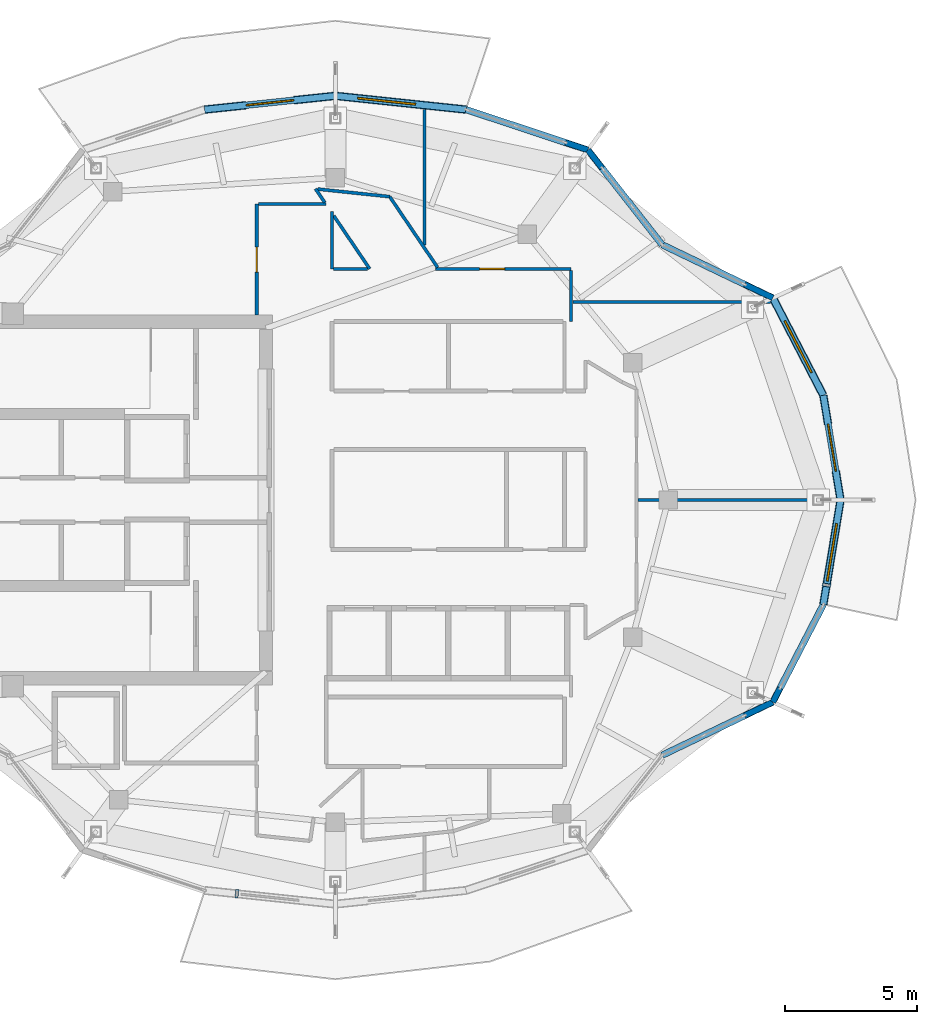
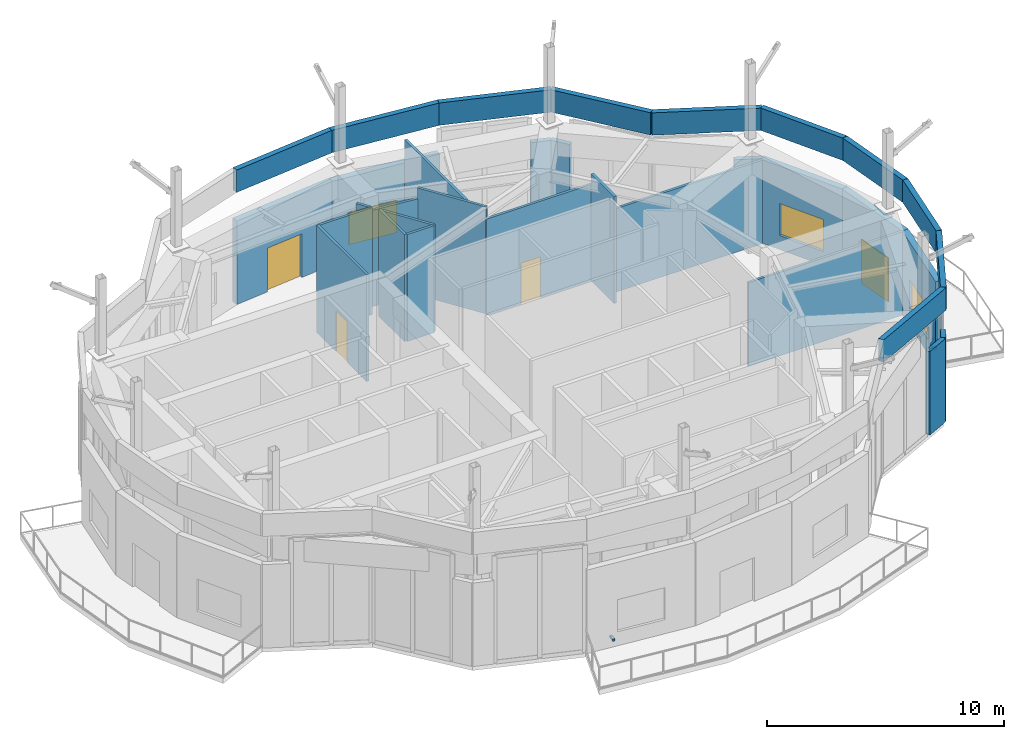
# One storey, part 11 of 13: 33 walls, 4 doors, 3 windows, 2 discrete accessories, 7 openings.
"""IFC4 building model written with IfcOpenShell, lengths in metres."""

from ifc_helpers import new_model, si_unit, direction, frame, frame_2d, origin, origin_2d, place, context, subcontext, project, spatial, rectangle, extrude, material, layer, layer_set, type_object, element, fill, save


model = new_model("IFC4")

# Units and contexts
model_context = context("Model", 3, precision=1e-05, world=origin(), true_north=direction((0.0, 1.0)))
body_context = subcontext(model_context, "Body", "Model", "MODEL_VIEW")
ifc_project = project(units=[si_unit("LENGTHUNIT", "METRE"), si_unit("AREAUNIT", "SQUARE_METRE"), si_unit("VOLUMEUNIT", "CUBIC_METRE"), si_unit("PLANEANGLEUNIT", "RADIAN"), si_unit("MASSUNIT", "GRAM", prefix="KILO")], contexts=[model_context])

# Site, building, storey
site_placement = place(None, origin())
site = spatial("IfcSite", under=ifc_project, at=site_placement, CompositionType="ELEMENT")
building_placement = place(site_placement, origin())
building = spatial("IfcBuilding", under=site, at=building_placement, Name="Kolvaren Gate Tower and Convention Centre", CompositionType="ELEMENT")
storey_placement = place(building_placement, frame((0.0, 0.0, 281.60009765625)))
storey = spatial("IfcBuildingStorey", under=building, at=storey_placement, Name="L76", CompositionType="ELEMENT", Elevation=281.60009765625)

# Walls
ifc_material_1 = material(Name="Piedmont Cream Honed Limestone Cladding", Category="masonry")
ifc_layer_1 = layer(ifc_material_1, 0.25)
ifc_layer_set_1 = layer_set([ifc_layer_1], Name="Piedmont Cream Honed Limestone Cladding")
wall_type_1 = type_object("IfcWallType", Name="ARCH-WL-PARAPET-250", PredefinedType="PARAPET", material=ifc_layer_set_1)
wall_1_placement = place(storey_placement, frame((48.598388671875, 30.9599609375, 5.75), z_axis=(0.0, 0.0, 1.0), x_axis=(0.162366447696, -0.9867305289, 0.0)))
element("IfcWall", 1, at=wall_1_placement, inside=storey, type_object=wall_type_1, Name="Observation Roof Core-Cap Stone Parapet CPW-01", PredefinedType="PARAPET", context=body_context, shape_type="SweptSolid", body=[
    extrude(rectangle(XDim=4.01318359375, YDim=0.25, at=frame_2d((2.006591796875, 0.0))), origin(), (0.0, 0.0, 1.0), 1.14990234375),
])
wall_2_placement = place(storey_placement, frame((46.687744140625, 34.64990234375, 5.75), z_axis=(0.0, 0.0, 1.0), x_axis=(0.459812881143, -0.888015830002, 0.0)))
element("IfcWall", 2, at=wall_2_placement, inside=storey, type_object=wall_type_1, Name="Observation Roof Core-Cap Stone Parapet CPW-02", PredefinedType="PARAPET", context=body_context, shape_type="SweptSolid", body=[
    extrude(rectangle(XDim=4.1552734375, YDim=0.25, at=frame_2d((2.07763671875, 0.0))), origin(), (0.0, 0.0, 1.0), 1.14990234375),
])
wall_3_placement = place(storey_placement, frame((42.494384765625, 36.664794921875, 5.75), z_axis=(0.0, 0.0, 1.0), x_axis=(0.901348560632, -0.433094414933, 0.0)))
element("IfcWall", 3, at=wall_3_placement, inside=storey, type_object=wall_type_1, Name="Observation Roof Core-Cap Stone Parapet CPW-03", PredefinedType="PARAPET", context=body_context, shape_type="SweptSolid", body=[
    extrude(rectangle(XDim=4.65234375, YDim=0.25, at=frame_2d((2.326171875, 0.0))), origin(), (0.0, 0.0, 1.0), 1.14990234375),
])
wall_4_placement = place(storey_placement, frame((39.6875, 40.250244140625, 5.75), z_axis=(0.0, 0.0, 1.0), x_axis=(0.616428247224, -0.78741108452, 0.0)))
element("IfcWall", 4, at=wall_4_placement, inside=storey, type_object=wall_type_1, Name="Observation Roof Core-Cap Stone Parapet CPW-04", PredefinedType="PARAPET", context=body_context, shape_type="SweptSolid", body=[
    extrude(rectangle(XDim=4.553466796875, YDim=0.25, at=frame_2d((2.27685546875, 0.0))), origin(), (0.0, 0.0, 1.0), 1.14990234375),
])
wall_5_placement = place(storey_placement, frame((35.074951171875, 41.77880859375, 5.75), z_axis=(0.0, 0.0, 1.0), x_axis=(0.949234518432, -0.314569275388, 0.0)))
element("IfcWall", 5, at=wall_5_placement, inside=storey, type_object=wall_type_1, Name="Observation Roof Core-Cap Stone Parapet CPW-05", PredefinedType="PARAPET", context=body_context, shape_type="SweptSolid", body=[
    extrude(rectangle(XDim=4.859130859375, YDim=0.25, at=frame_2d((2.4296875, 0.0))), origin(), (0.0, 0.0, 1.0), 1.14990234375),
])
for number, where, z_axis, x_axis, name in (
    (6, (30.125, 42.300048828125, 5.75), (0.0, 0.0, 1.0), (0.994501420626, -0.104723084243, 0.0), "Observation Roof Core-Cap Stone Parapet CPW-06"),
    (7, (25.175048828125, 41.77880859375, 5.75), (0.0, 0.0, 1.0), (0.994501420626, 0.104723084243, 0.0), "Observation Roof Core-Cap Stone Parapet CPW-07"),
):
    element("IfcWall", number, at=place(storey_placement, frame(where, z_axis=z_axis, x_axis=x_axis)), inside=storey, type_object=wall_type_1, Name=name, PredefinedType="PARAPET", context=body_context, shape_type="SweptSolid", body=[
        extrude(rectangle(XDim=4.977294921875, YDim=0.25, at=frame_2d((2.48876953125, 0.0))), origin(), (0.0, 0.0, 1.0), 1.14990234375),
    ])
wall_6_placement = place(storey_placement, frame((42.494384765625, 17.335205078125, 5.75), z_axis=(0.0, 0.0, 1.0), x_axis=(0.901348560632, 0.433094414933, 0.0)))
element("IfcWall", 8, at=wall_6_placement, inside=storey, type_object=wall_type_1, Name="Observation Roof Core-Cap Stone Parapet CPW-22", PredefinedType="PARAPET", context=body_context, shape_type="SweptSolid", body=[
    extrude(rectangle(XDim=4.65234375, YDim=0.25, at=frame_2d((2.326171875, 0.0))), origin(), (0.0, 0.0, 1.0), 1.14990234375),
])
wall_7_placement = place(storey_placement, frame((46.687744140625, 19.35009765625, 5.75), z_axis=(0.0, 0.0, 1.0), x_axis=(0.459812881143, 0.888015830002, 0.0)))
element("IfcWall", 9, at=wall_7_placement, inside=storey, type_object=wall_type_1, Name="Observation Roof Core-Cap Stone Parapet CPW-23", PredefinedType="PARAPET", context=body_context, shape_type="SweptSolid", body=[
    extrude(rectangle(XDim=4.1552734375, YDim=0.25, at=frame_2d((2.07763671875, 0.0))), origin(), (0.0, 0.0, 1.0), 1.14990234375),
])
wall_8_placement = place(storey_placement, frame((48.598388671875, 23.0400390625, 5.75), z_axis=(0.0, 0.0, 1.0), x_axis=(0.162366447696, 0.9867305289, 0.0)))
element("IfcWall", 10, at=wall_8_placement, inside=storey, type_object=wall_type_1, Name="Observation Roof Core-Cap Stone Parapet CPW-24", PredefinedType="PARAPET", context=body_context, shape_type="SweptSolid", body=[
    extrude(rectangle(XDim=4.01318359375, YDim=0.25, at=frame_2d((2.006591796875, 0.0))), origin(), (0.0, 0.0, 1.0), 1.14990234375),
])

# Wall, opening, door
ifc_material_2 = material(Name="Fire-Rated Acoustic Gypsum Stud Partition", Category="gypsum")
ifc_layer_2 = layer(ifc_material_2, 0.1201171875)
ifc_layer_set_2 = layer_set([ifc_layer_2], Name="Fire-Rated Acoustic Gypsum Stud Partition")
wall_type_2 = type_object("IfcWallType", Name="ARCH-WL-PART-120", PredefinedType="PARTITIONING", material=ifc_layer_set_2)
wall_9_placement = place(storey_placement, frame((27.14990234375, 34.001953125, 0.0), z_axis=(0.0, 0.0, 1.0), x_axis=(0.0, 1.0, 0.0)))
wall_9 = element("IfcWall", 11, at=wall_9_placement, inside=storey, type_object=wall_type_2, Name="Interior Partition WL-L76-INT-013", PredefinedType="PARTITIONING", context=body_context, shape_type="SweptSolid", body=[
    extrude(rectangle(XDim=4.197998046875, YDim=0.1201171875, at=frame_2d((2.09912109375, 0.0))), origin(), (0.0, 0.0, 1.0), 5.5),
])
opening_1_placement = place(wall_9_placement, frame((1.6240234375, 0.0, 0.0)))
opening_1 = element("IfcOpeningElement", 12, at=opening_1_placement, cuts=wall_9, Name="Opening DR-01", PredefinedType="OPENING", context=body_context, shape_type="SweptSolid", body=[
    extrude(rectangle(XDim=0.949951171875, YDim=2.10009765625, at=frame_2d((0.47509765625, 1.050048828125))), frame((0.0, 0.070068359375, 0.0), z_axis=(0.0, -1.0, 0.0), x_axis=(1.0, 0.0, 0.0)), (0.0, 0.0, 1.0), 0.14013671875),
])
ifc_material_3 = material(Name="Painted Architectural Steelwork ASTM A500 Grade C 345 MPa", Category="steel")
door_type_1 = type_object("IfcDoorType", Name="ARCH-DR-RISER-950", OperationType="SINGLE_SWING_RIGHT", PredefinedType="DOOR", material=ifc_material_3)
door_1_placement = place(opening_1_placement, origin())
door_1 = element("IfcDoor", 13, at=door_1_placement, inside=storey, type_object=door_type_1, Name="Magdalena Sunset Sky Cafe and Bistro Door", OperationType="SINGLE_SWING_RIGHT", OverallHeight=2.10009765625, OverallWidth=0.949951171875, PredefinedType="DOOR", context=body_context, shape_type="SweptSolid", body=[
    extrude(rectangle(XDim=0.949951171875, YDim=2.10009765625, at=frame_2d((0.47509765625, 1.050048828125))), frame((0.0, 0.02490234375, 0.0), z_axis=(0.0, -1.0, 0.0), x_axis=(1.0, 0.0, 0.0)), (0.0, 0.0, 1.0), 0.050048828125),
])
fill(opening_1, door_1)

# Walls
wall_10_placement = place(storey_placement, frame((30.0, 35.75, 0.0), z_axis=(0.0, 0.0, 1.0), x_axis=(0.0, 1.0, 0.0)))
element("IfcWall", 14, at=wall_10_placement, inside=storey, type_object=wall_type_2, Name="Interior Partition WL-L76-INT-017", PredefinedType="PARTITIONING", context=body_context, shape_type="SweptSolid", body=[
    extrude(rectangle(XDim=2.1640625, YDim=0.1201171875, at=frame_2d((1.08203125, 0.0))), origin(), (0.0, 0.0, 1.0), 5.5),
])
wall_11_placement = place(storey_placement, frame((27.2119140625, 38.199951171875, 0.0), z_axis=(0.0, 0.0, 1.0), x_axis=(1.0, 0.0, 0.0)))
element("IfcWall", 15, at=wall_11_placement, inside=storey, type_object=wall_type_2, Name="Interior Partition WL-L76-INT-029", PredefinedType="PARTITIONING", context=body_context, shape_type="SweptSolid", body=[
    extrude(rectangle(XDim=2.55517578125, YDim=0.1201171875, at=frame_2d((1.277587890625, 0.0))), origin(), (0.0, 0.0, 1.0), 5.5),
])
wall_12_placement = place(storey_placement, frame((29.375, 38.779052734375, 0.0), z_axis=(0.0, 0.0, 1.0), x_axis=(0.560640655146, -0.828059210321, 0.0)))
element("IfcWall", 16, at=wall_12_placement, inside=storey, type_object=wall_type_2, Name="Interior Partition WL-L76-INT-030", PredefinedType="PARTITIONING", context=body_context, shape_type="SweptSolid", body=[
    extrude(rectangle(XDim=0.62451171875, YDim=0.1201171875, at=frame_2d((0.312255859375, 0.0))), origin(), (0.0, 0.0, 1.0), 5.5),
])
wall_13_placement = place(storey_placement, frame((30.06201171875, 37.76416015625, 0.0), z_axis=(0.0, 0.0, 1.0), x_axis=(0.5606638637, -0.828043496406, 0.0)))
element("IfcWall", 17, at=wall_13_placement, inside=storey, type_object=wall_type_2, Name="Interior Partition WL-L76-INT-031", PredefinedType="PARTITIONING", context=body_context, shape_type="SweptSolid", body=[
    extrude(rectangle(XDim=2.431640625, YDim=0.1201171875, at=frame_2d((1.2158203125, 0.0))), origin(), (0.0, 0.0, 1.0), 5.5),
])
wall_14_placement = place(storey_placement, frame((29.45556640625, 38.7705078125, 0.0), z_axis=(0.0, 0.0, 1.0), x_axis=(0.994486902492, -0.104860863868, 0.0)))
element("IfcWall", 18, at=wall_14_placement, inside=storey, type_object=wall_type_2, Name="Interior Partition WL-L76-INT-032", PredefinedType="PARTITIONING", context=body_context, shape_type="SweptSolid", body=[
    extrude(rectangle(XDim=2.74267578125, YDim=0.1201171875, at=frame_2d((1.371337890625, 0.0))), origin(), (0.0, 0.0, 1.0), 4.947998046875),
])
wall_15_placement = place(storey_placement, frame((32.18310546875, 38.48291015625, 0.0), z_axis=(0.0, 0.0, 1.0), x_axis=(0.560402300997, -0.828220538889, 0.0)))
element("IfcWall", 19, at=wall_15_placement, inside=storey, type_object=wall_type_2, Name="Interior Partition WL-L76-INT-033", PredefinedType="PARTITIONING", context=body_context, shape_type="SweptSolid", body=[
    extrude(rectangle(XDim=3.2333984375, YDim=0.1201171875, at=frame_2d((1.61669921875, 0.0))), origin(), (0.0, 0.0, 1.0), 5.5),
])
wall_16_placement = place(storey_placement, frame((30.06201171875, 35.75, 0.0), z_axis=(0.0, 0.0, 1.0), x_axis=(1.0, 0.0, 0.0)))
element("IfcWall", 20, at=wall_16_placement, inside=storey, type_object=wall_type_2, Name="Interior Partition WL-L76-INT-034", PredefinedType="PARTITIONING", context=body_context, shape_type="SweptSolid", body=[
    extrude(rectangle(XDim=1.288818359375, YDim=0.1201171875, at=frame_2d((0.64453125, 0.0))), origin(), (0.0, 0.0, 1.0), 5.5),
])

# Wall, opening, door
wall_17_placement = place(storey_placement, frame((33.9130859375, 35.75, 0.0), z_axis=(0.0, 0.0, 1.0), x_axis=(1.0, 0.0, 0.0)))
wall_17 = element("IfcWall", 21, at=wall_17_placement, inside=storey, type_object=wall_type_2, Name="Interior Partition WL-L76-INT-035", PredefinedType="PARTITIONING", context=body_context, shape_type="SweptSolid", body=[
    extrude(rectangle(XDim=5.136962890625, YDim=0.1201171875, at=frame_2d((2.568359375, 0.0))), origin(), (0.0, 0.0, 1.0), 4.947998046875),
])
opening_2_placement = place(wall_17_placement, frame((1.673583984375, 0.0, 0.0)))
opening_2 = element("IfcOpeningElement", 22, at=opening_2_placement, cuts=wall_17, Name="Opening DR-01", PredefinedType="OPENING", context=body_context, shape_type="SweptSolid", body=[
    extrude(rectangle(XDim=0.949951171875, YDim=2.10009765625, at=frame_2d((0.47509765625, 1.050048828125))), frame((0.0, 0.070068359375, 0.0), z_axis=(0.0, -1.0, 0.0), x_axis=(1.0, 0.0, 0.0)), (0.0, 0.0, 1.0), 0.14013671875),
])
door_2_placement = place(opening_2_placement, origin())
door_2 = element("IfcDoor", 23, at=door_2_placement, inside=storey, type_object=door_type_1, Name="Paramo Ecological Reading Clubroom Door", OperationType="SINGLE_SWING_LEFT", OverallHeight=2.10009765625, OverallWidth=0.949951171875, PredefinedType="DOOR", context=body_context, shape_type="SweptSolid", body=[
    extrude(rectangle(XDim=0.949951171875, YDim=2.10009765625, at=frame_2d((0.47509765625, 1.050048828125))), frame((0.0, 0.02490234375, 0.0), z_axis=(0.0, -1.0, 0.0), x_axis=(1.0, 0.0, 0.0)), (0.0, 0.0, 1.0), 0.050048828125),
])
fill(opening_2, door_2)

# Walls
wall_18_placement = place(storey_placement, frame((39.050048828125, 33.75, 0.0), z_axis=(0.0, 0.0, 1.0), x_axis=(0.0, 1.0, 0.0)))
element("IfcWall", 24, at=wall_18_placement, inside=storey, type_object=wall_type_2, Name="Interior Partition WL-L76-INT-037", PredefinedType="PARTITIONING", context=body_context, shape_type="SweptSolid", body=[
    extrude(rectangle(XDim=1.93798828125, YDim=0.1201171875, at=frame_2d((0.968994140625, 0.0))), origin(), (0.0, 0.0, 1.0), 5.5),
])
wall_19_placement = place(storey_placement, frame((33.5, 36.647216796875, 0.0), z_axis=(0.0, 0.0, 1.0), x_axis=(0.0, 1.0, 0.0)))
element("IfcWall", 25, at=wall_19_placement, inside=storey, type_object=wall_type_2, Name="Interior Partition WL-L76-INT-055", PredefinedType="PARTITIONING", context=body_context, shape_type="SweptSolid", body=[
    extrude(rectangle(XDim=5.14453125, YDim=0.1201171875, at=frame_2d((2.572265625, 0.0))), origin(), (0.0, 0.0, 1.0), 5.5),
])
wall_20_placement = place(storey_placement, frame((41.58203125, 27.0, 0.0), z_axis=(0.0, 0.0, 1.0), x_axis=(1.0, 0.0, 0.0)))
element("IfcWall", 26, at=wall_20_placement, inside=storey, type_object=wall_type_2, Name="Interior Partition WL-L76-INT-057", PredefinedType="PARTITIONING", context=body_context, shape_type="SweptSolid", body=[
    extrude(rectangle(XDim=7.513916015625, YDim=0.1201171875, at=frame_2d((3.7568359375, 0.0))), origin(), (0.0, 0.0, 1.0), 4.29248046875),
])
wall_21_placement = place(storey_placement, frame((39.112060546875, 34.5, 0.0), z_axis=(0.0, 0.0, 1.0), x_axis=(1.0, 0.0, 0.0)))
element("IfcWall", 27, at=wall_21_placement, inside=storey, type_object=wall_type_2, Name="Interior Partition WL-L76-INT-059", PredefinedType="PARTITIONING", context=body_context, shape_type="SweptSolid", body=[
    extrude(rectangle(XDim=7.482177734375, YDim=0.1201171875, at=frame_2d((3.7412109375, 0.0))), origin(), (0.0, 0.0, 1.0), 4.2919921875),
])
ifc_material_4 = material(Name="Bogota Sabana Bush-Hammered Sandstone Cladding", Category="masonry")
ifc_layer_3 = layer(ifc_material_4, 0.219970703125)
ifc_layer_set_3 = layer_set([ifc_layer_3], Name="Bogota Sabana Bush-Hammered Sandstone Cladding")
wall_type_3 = type_object("IfcWallType", Name="ARCH-WL-PIER-220", PredefinedType="SOLIDWALL", material=ifc_layer_set_3)
wall_22_placement = place(storey_placement, frame((45.623046875, 35.16162109375, 0.0), z_axis=(0.0, 0.0, 1.0), x_axis=(0.901303636532, -0.433187897769, 0.0)))
element("IfcWall", 28, at=wall_22_placement, inside=storey, type_object=wall_type_3, Name="L76 Panoramic Structural Curtain Wall CW-02 Right Column Pier Wrap", PredefinedType="SOLIDWALL", context=body_context, shape_type="SweptSolid", body=[
    extrude(rectangle(XDim=1.181396484375, YDim=0.219970703125, at=frame_2d((0.5908203125, 0.0))), origin(), (0.0, 0.0, 1.0), 4.2919921875),
])
wall_23_placement = place(storey_placement, frame((39.6875, 40.250244140625, 0.0), z_axis=(0.0, 0.0, 1.0), x_axis=(0.616368366719, -0.787457958566, 0.0)))
element("IfcWall", 29, at=wall_23_placement, inside=storey, type_object=wall_type_3, Name="L76 Panoramic Structural Curtain Wall CW-03 Left Column Pier Wrap", PredefinedType="SOLIDWALL", context=body_context, shape_type="SweptSolid", body=[
    extrude(rectangle(XDim=0.876220703125, YDim=0.219970703125, at=frame_2d((0.43798828125, 0.0))), origin(), (0.0, 0.0, 1.0), 4.2919921875),
])
wall_24_placement = place(storey_placement, frame((38.837646484375, 40.53173828125, 0.0), z_axis=(0.0, 0.0, 1.0), x_axis=(0.949281538829, -0.314427352562, 0.0)))
element("IfcWall", 30, at=wall_24_placement, inside=storey, type_object=wall_type_3, Name="L76 Panoramic Structural Curtain Wall CW-04 Right Column Pier Wrap", PredefinedType="SOLIDWALL", context=body_context, shape_type="SweptSolid", body=[
    extrude(rectangle(XDim=0.895263671875, YDim=0.219970703125, at=frame_2d((0.44775390625, 0.0))), origin(), (0.0, 0.0, 1.0), 4.2919921875),
])
wall_25_placement = place(storey_placement, frame((45.623046875, 18.83837890625, 0.0), z_axis=(0.0, 0.0, 1.0), x_axis=(0.901303636532, 0.433187897769, 0.0)))
element("IfcWall", 31, at=wall_25_placement, inside=storey, type_object=wall_type_3, Name="L76 Panoramic Structural Curtain Wall CW-21 Right Column Pier Wrap", PredefinedType="SOLIDWALL", context=body_context, shape_type="SweptSolid", body=[
    extrude(rectangle(XDim=1.181396484375, YDim=0.219970703125, at=frame_2d((0.5908203125, 0.0))), origin(), (0.0, 0.0, 1.0), 4.2919921875),
])
wall_26_placement = place(storey_placement, frame((46.687744140625, 19.35009765625, 0.0), z_axis=(0.0, 0.0, 1.0), x_axis=(0.459985611197, 0.887926369409, 0.0)))
element("IfcWall", 32, at=wall_26_placement, inside=storey, type_object=wall_type_3, Name="L76 Panoramic Structural Curtain Wall CW-22 Left Column Pier Wrap", PredefinedType="SOLIDWALL", context=body_context, shape_type="SweptSolid", body=[
    extrude(rectangle(XDim=0.601806640625, YDim=0.219970703125, at=frame_2d((0.30078125, 0.0))), origin(), (0.0, 0.0, 1.0), 4.2919921875),
])

# Wall, opening, door
ifc_layer_4 = layer(ifc_material_1, 0.300048828125)
ifc_layer_set_4 = layer_set([ifc_layer_4], Name="Piedmont Cream Honed Limestone Cladding")
wall_type_4 = type_object("IfcWallType", Name="ARCH-WL-STONE-300", PredefinedType="SOLIDWALL", material=ifc_layer_set_4)
wall_27_placement = place(storey_placement, frame((48.598388671875, 30.9599609375, 0.0), z_axis=(0.0, 0.0, 1.0), x_axis=(0.162366447696, -0.9867305289, 0.0)))
wall_27 = element("IfcWall", 33, at=wall_27_placement, inside=storey, type_object=wall_type_4, Name="Tower L76 Honed Stone Spandrel Wall EW-00", PredefinedType="SOLIDWALL", context=body_context, shape_type="SweptSolid", body=[
    extrude(rectangle(XDim=4.01318359375, YDim=0.300048828125, at=frame_2d((2.006591796875, 0.0))), origin(), (0.0, 0.0, 1.0), 4.2919921875),
])
opening_3_placement = place(wall_27_placement, frame((1.10693359375, 0.0, 0.0)))
opening_3 = element("IfcOpeningElement", 34, at=opening_3_placement, cuts=wall_27, Name="Opening DB-01", PredefinedType="OPENING", context=body_context, shape_type="SweptSolid", body=[
    extrude(rectangle(XDim=1.800048828125, YDim=2.25, at=frame_2d((0.89990234375, 1.125))), frame((0.0, 0.159912109375, 0.0), z_axis=(0.0, -1.0, 0.0), x_axis=(1.0, 0.0, 0.0)), (0.0, 0.0, 1.0), 0.320068359375),
])
ifc_material_5 = material(Name="Anodized Architectural Aluminium Alloy 6063-T6", Category="aluminium")
door_type_2 = type_object("IfcDoorType", Name="ARCH-DR-BALC-1800", OperationType="SLIDING_TO_LEFT", PredefinedType="DOOR", material=ifc_material_5)
door_3_placement = place(opening_3_placement, origin())
door_3 = element("IfcDoor", 35, at=door_3_placement, inside=storey, type_object=door_type_2, Name="Planted Sky Terrace Access Door DB-L76-00", OperationType="SLIDING_TO_LEFT", OverallHeight=2.25, OverallWidth=1.800048828125, PredefinedType="DOOR", context=body_context, shape_type="SweptSolid", body=[
    extrude(rectangle(XDim=1.800048828125, YDim=2.25, at=frame_2d((0.89990234375, 1.125))), frame((0.0, 0.02490234375, 0.0), z_axis=(0.0, -1.0, 0.0), x_axis=(1.0, 0.0, 0.0)), (0.0, 0.0, 1.0), 0.050048828125),
])
fill(opening_3, door_3)

# Wall, opening, window
wall_28_placement = place(storey_placement, frame((46.687744140625, 34.64990234375, 0.0), z_axis=(0.0, 0.0, 1.0), x_axis=(0.459812881143, -0.888015830002, 0.0)))
wall_28 = element("IfcWall", 36, at=wall_28_placement, inside=storey, type_object=wall_type_4, Name="Tower L76 Honed Stone Spandrel Wall EW-01", PredefinedType="SOLIDWALL", context=body_context, shape_type="SweptSolid", body=[
    extrude(rectangle(XDim=4.1552734375, YDim=0.300048828125, at=frame_2d((2.07763671875, 0.0))), origin(), (0.0, 0.0, 1.0), 4.2919921875),
])
opening_4_placement = place(wall_28_placement, frame((0.97802734375, 0.0, 0.719970703125)))
opening_4 = element("IfcOpeningElement", 37, at=opening_4_placement, cuts=wall_28, Name="Opening W-03", PredefinedType="OPENING", context=body_context, shape_type="SweptSolid", body=[
    extrude(rectangle(XDim=2.199951171875, YDim=1.64990234375, at=frame_2d((1.10009765625, 0.824951171875))), frame((0.0, 0.159912109375, 0.0), z_axis=(0.0, -1.0, 0.0), x_axis=(1.0, 0.0, 0.0)), (0.0, 0.0, 1.0), 0.320068359375),
])
ifc_material_6 = material(Name="Low-E Triple Insulated Glazing Unit 44 mm", Category="glass")
window_type = type_object("IfcWindowType", Name="ARCH-WN-RES-2200", PartitioningType="SINGLE_PANEL", PredefinedType="WINDOW", material=ifc_material_6)
window_1_placement = place(opening_4_placement, origin())
window_1 = element("IfcWindow", 38, at=window_1_placement, inside=storey, type_object=window_type, Name="Tower L76 Punched Stone Facade Window W-01", OverallHeight=1.64990234375, OverallWidth=2.199951171875, PartitioningType="SINGLE_PANEL", PredefinedType="WINDOW", context=body_context, shape_type="SweptSolid", body=[
    extrude(rectangle(XDim=2.199951171875, YDim=1.64990234375, at=frame_2d((1.10009765625, 0.824951171875))), frame((0.0, 0.030029296875, 0.0), z_axis=(0.0, -1.0, 0.0), x_axis=(1.0, 0.0, 0.0)), (0.0, 0.0, 1.0), 0.06005859375),
])
fill(opening_4, window_1)

wall_29_placement = place(storey_placement, frame((30.125, 42.300048828125, 0.0), z_axis=(0.0, 0.0, 1.0), x_axis=(0.994501420626, -0.104723084243, 0.0)))
wall_29 = element("IfcWall", 39, at=wall_29_placement, inside=storey, type_object=wall_type_4, Name="Tower L76 Honed Stone Spandrel Wall EW-05", PredefinedType="SOLIDWALL", context=body_context, shape_type="SweptSolid", body=[
    extrude(rectangle(XDim=4.977294921875, YDim=0.300048828125, at=frame_2d((2.48876953125, 0.0))), origin(), (0.0, 0.0, 1.0), 4.2919921875),
])
opening_5_placement = place(wall_29_placement, frame((0.85009765625, 0.0, 0.719970703125)))
opening_5 = element("IfcOpeningElement", 40, at=opening_5_placement, cuts=wall_29, Name="Opening W-03", PredefinedType="OPENING", context=body_context, shape_type="SweptSolid", body=[
    extrude(rectangle(XDim=2.199951171875, YDim=1.64990234375, at=frame_2d((1.10009765625, 0.824951171875))), frame((0.0, 0.159912109375, 0.0), z_axis=(0.0, -1.0, 0.0), x_axis=(1.0, 0.0, 0.0)), (0.0, 0.0, 1.0), 0.320068359375),
])
window_2_placement = place(opening_5_placement, origin())
window_2 = element("IfcWindow", 41, at=window_2_placement, inside=storey, type_object=window_type, Name="Tower L76 Punched Stone Facade Window W-05", OverallHeight=1.64990234375, OverallWidth=2.199951171875, PartitioningType="SINGLE_PANEL", PredefinedType="WINDOW", context=body_context, shape_type="SweptSolid", body=[
    extrude(rectangle(XDim=2.199951171875, YDim=1.64990234375, at=frame_2d((1.10009765625, 0.824951171875))), frame((0.0, 0.030029296875, 0.0), z_axis=(0.0, -1.0, 0.0), x_axis=(1.0, 0.0, 0.0)), (0.0, 0.0, 1.0), 0.06005859375),
])
fill(opening_5, window_2)

# Wall, opening, door
wall_30_placement = place(storey_placement, frame((25.175048828125, 41.77880859375, 0.0), z_axis=(0.0, 0.0, 1.0), x_axis=(0.994501420626, 0.104723084243, 0.0)))
wall_30 = element("IfcWall", 42, at=wall_30_placement, inside=storey, type_object=wall_type_4, Name="Tower L76 Honed Stone Spandrel Wall EW-06", PredefinedType="SOLIDWALL", context=body_context, shape_type="SweptSolid", body=[
    extrude(rectangle(XDim=4.977294921875, YDim=0.300048828125, at=frame_2d((2.48876953125, 0.0))), origin(), (0.0, 0.0, 1.0), 4.2919921875),
])
opening_6_placement = place(wall_30_placement, frame((1.589111328125, 0.0, 0.0)))
opening_6 = element("IfcOpeningElement", 43, at=opening_6_placement, cuts=wall_30, Name="Opening DB-01", PredefinedType="OPENING", context=body_context, shape_type="SweptSolid", body=[
    extrude(rectangle(XDim=1.800048828125, YDim=2.25, at=frame_2d((0.89990234375, 1.125))), frame((0.0, 0.159912109375, 0.0), z_axis=(0.0, -1.0, 0.0), x_axis=(1.0, 0.0, 0.0)), (0.0, 0.0, 1.0), 0.320068359375),
])
door_4_placement = place(opening_6_placement, origin())
door_4 = element("IfcDoor", 44, at=door_4_placement, inside=storey, type_object=door_type_2, Name="Planted Sky Terrace Access Door DB-L76-06", OperationType="SLIDING_TO_LEFT", OverallHeight=2.25, OverallWidth=1.800048828125, PredefinedType="DOOR", context=body_context, shape_type="SweptSolid", body=[
    extrude(rectangle(XDim=1.800048828125, YDim=2.25, at=frame_2d((0.89990234375, 1.125))), frame((0.0, 0.02490234375, 0.0), z_axis=(0.0, -1.0, 0.0), x_axis=(1.0, 0.0, 0.0)), (0.0, 0.0, 1.0), 0.050048828125),
])
fill(opening_6, door_4)

# Wall, opening, window
wall_31_placement = place(storey_placement, frame((48.598388671875, 23.0400390625, 0.0), z_axis=(0.0, 0.0, 1.0), x_axis=(0.162366447696, 0.9867305289, 0.0)))
wall_31 = element("IfcWall", 45, at=wall_31_placement, inside=storey, type_object=wall_type_4, Name="Tower L76 Honed Stone Spandrel Wall EW-23", PredefinedType="SOLIDWALL", context=body_context, shape_type="SweptSolid", body=[
    extrude(rectangle(XDim=4.01318359375, YDim=0.300048828125, at=frame_2d((2.006591796875, 0.0))), origin(), (0.0, 0.0, 1.0), 4.2919921875),
])
opening_7_placement = place(wall_31_placement, frame((0.906982421875, 0.0, 0.719970703125)))
opening_7 = element("IfcOpeningElement", 46, at=opening_7_placement, cuts=wall_31, Name="Opening W-03", PredefinedType="OPENING", context=body_context, shape_type="SweptSolid", body=[
    extrude(rectangle(XDim=2.199951171875, YDim=1.64990234375, at=frame_2d((1.10009765625, 0.824951171875))), frame((0.0, 0.159912109375, 0.0), z_axis=(0.0, -1.0, 0.0), x_axis=(1.0, 0.0, 0.0)), (0.0, 0.0, 1.0), 0.320068359375),
])
window_3_placement = place(opening_7_placement, origin())
window_3 = element("IfcWindow", 47, at=window_3_placement, inside=storey, type_object=window_type, Name="Tower L76 Punched Stone Facade Window W-23", OverallHeight=1.64990234375, OverallWidth=2.199951171875, PartitioningType="SINGLE_PANEL", PredefinedType="WINDOW", context=body_context, shape_type="SweptSolid", body=[
    extrude(rectangle(XDim=2.199951171875, YDim=1.64990234375, at=frame_2d((1.10009765625, 0.824951171875))), frame((0.0, 0.030029296875, 0.0), z_axis=(0.0, -1.0, 0.0), x_axis=(1.0, 0.0, 0.0)), (0.0, 0.0, 1.0), 0.06005859375),
])
fill(opening_7, window_3)

# Discrete accessories
discrete_accessory_type = type_object("IfcDiscreteAccessoryType", Name="ARCH-ACC-BRACKET-120", PredefinedType="BRACKET", material=ifc_material_5)
for number, where, z_axis, x_axis, name in (
    (48, (26.397216796875, 12.092529296875, 0.289794921875), (0.0, 0.0, 1.0), (0.994499981166, -0.104736753152, 0.0), "Ceramic Fin Wall Anchor Bracket FBK-L76-17"),
    (49, (48.719482421875, 23.777099609375, 0.289794921875), (0.0, 0.0, 1.0), (0.162390900999, 0.986726504799, 0.0), "Ceramic Fin Wall Anchor Bracket FBK-L76-23"),
):
    element("IfcDiscreteAccessory", number, at=place(storey_placement, frame(where, z_axis=z_axis, x_axis=x_axis)), inside=storey, type_object=discrete_accessory_type, Name=name, PredefinedType="BRACKET", context=body_context, shape_type="SweptSolid", body=[
        extrude(rectangle(XDim=0.1201171875, YDim=0.320068359375, at=origin_2d()), origin(), (0.0, 0.0, 1.0), 0.1201171875),
    ])

save(model, "model.ifc")
